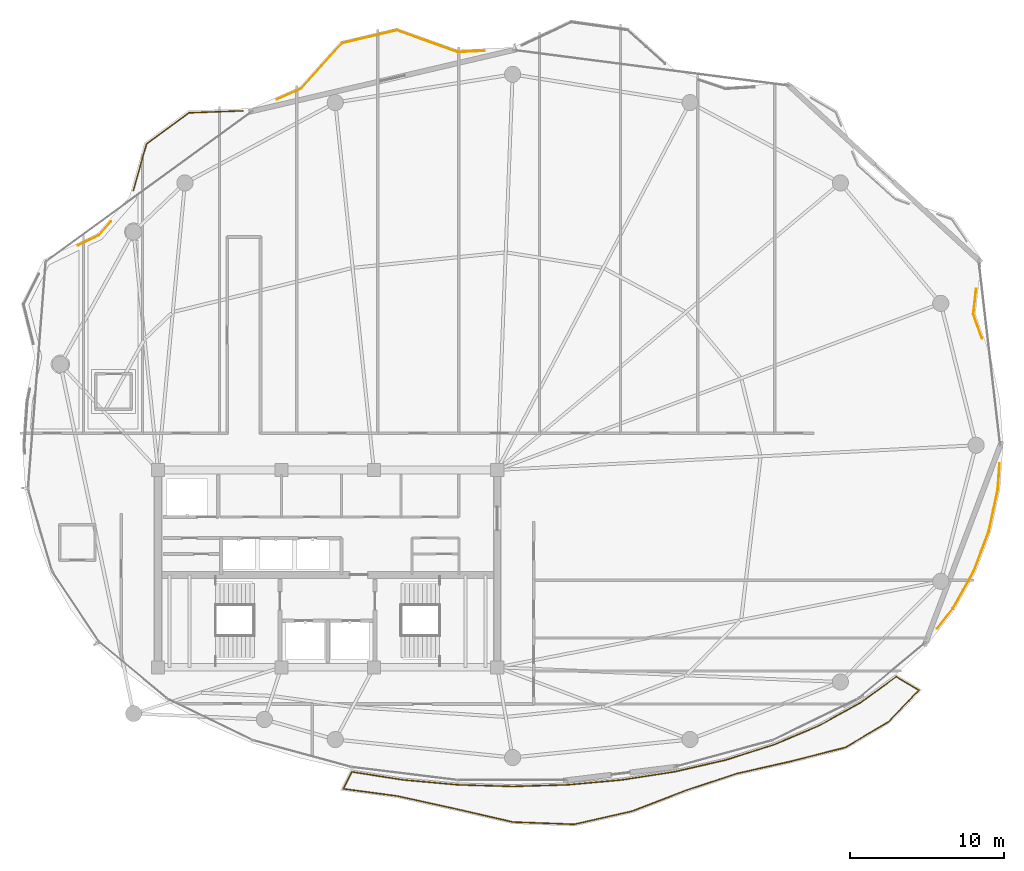
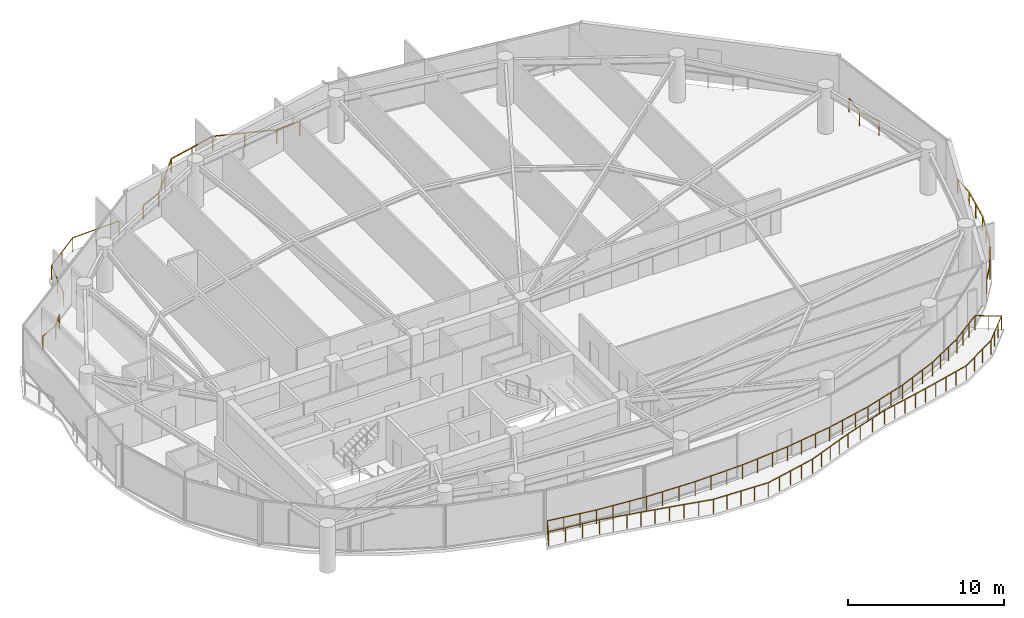
# One storey, part 30 of 31: 6 railings.
"""IFC4 building model written with IfcOpenShell, lengths in metres."""

from ifc_helpers import new_model, si_unit, direction, frame, origin, origin_2d, place, context, subcontext, project, spatial, rectangle, extrude, material, type_object, element, save


model = new_model("IFC4")

# Units and contexts
model_context = context("Model", 3, precision=1e-05, world=origin(), true_north=direction((0.0, 1.0)))
body_context = subcontext(model_context, "Body", "Model", "MODEL_VIEW")
ifc_project = project(units=[si_unit("LENGTHUNIT", "METRE"), si_unit("AREAUNIT", "SQUARE_METRE"), si_unit("VOLUMEUNIT", "CUBIC_METRE"), si_unit("PLANEANGLEUNIT", "RADIAN"), si_unit("MASSUNIT", "GRAM", prefix="KILO")], contexts=[model_context])

# Site, building, storey
site_placement = place(None, origin())
site = spatial("IfcSite", under=ifc_project, at=site_placement, CompositionType="ELEMENT")
building_placement = place(site_placement, origin())
building = spatial("IfcBuilding", under=site, at=building_placement, Name="Kazevale Care Tower and Concert Hall", CompositionType="ELEMENT")
storey_placement = place(building_placement, frame((0.0, 0.0, 202.800048828125)))
storey = spatial("IfcBuildingStorey", under=building, at=storey_placement, Name="L53", CompositionType="ELEMENT", Elevation=202.800048828125)

# Railings
ifc_material = material(Name="Anodised Bronze Aluminium and Laminated Glass", Category="aluminium")
railing_type = type_object("IfcRailingType", Name="Balcony and Terrace Balustrade 1120", PredefinedType="BALUSTRADE", material=ifc_material)
railing_1_placement = place(storey_placement, frame((16.83203125, 50.968994140625, 0.0)))
element("IfcRailing", 1, at=railing_1_placement, inside=storey, type_object=railing_type, Name="rail:L53:perim:3", PredefinedType="BALUSTRADE", context=body_context, shape_type="SweptSolid", body=[
    extrude(rectangle(XDim=0.048095703125, YDim=0.048095703125, at=origin_2d()), frame((0.0, 0.0, 1.09619140625), z_axis=(0.899880965399, 0.436135584553, 0.0), x_axis=(-0.436135584553, 0.899880965399, 0.0)), (0.0, 0.0, 1.0), 1.476806640625),
    extrude(rectangle(XDim=0.048095703125, YDim=0.048095703125, at=origin_2d()), frame((1.328857421875, 0.64404296875, 1.09619140625), z_axis=(0.658533673371, 0.752551261402, 0.0), x_axis=(-0.752551261402, 0.658533673371, 0.0)), (0.0, 0.0, 1.0), 1.189208984375),
    extrude(rectangle(XDim=0.0419921875, YDim=0.0419921875, at=origin_2d()), origin(), (0.0, 0.0, 1.0), 1.072021484375),
    extrude(rectangle(XDim=0.0419921875, YDim=0.0419921875, at=origin_2d()), frame((1.328857421875, 0.64404296875, 0.0)), (0.0, 0.0, 1.0), 1.072021484375),
    extrude(rectangle(XDim=0.0419921875, YDim=0.0419921875, at=origin_2d()), frame((2.112060546875, 1.5390625, 0.0)), (0.0, 0.0, 1.0), 1.072021484375),
])
railing_2_placement = place(storey_placement, frame((20.403076171875, 54.511962890625, 0.0)))
element("IfcRailing", 2, at=railing_2_placement, inside=storey, type_object=railing_type, Name="rail:L53:perim:4", PredefinedType="BALUSTRADE", context=body_context, shape_type="SweptSolid", body=[
    extrude(rectangle(XDim=0.048095703125, YDim=0.048095703125, at=origin_2d()), frame((0.0, 0.0, 1.09619140625), z_axis=(0.27160216444, 0.962409613559, 0.0), x_axis=(-0.962409613559, 0.27160216444, 0.0)), (0.0, 0.0, 1.0), 3.144287109375),
    extrude(rectangle(XDim=0.048095703125, YDim=0.048095703125, at=origin_2d()), frame((0.85400390625, 3.026123046875, 1.09619140625), z_axis=(0.805881115656, 0.592077382973, 0.0), x_axis=(-0.592077382973, 0.805881115656, 0.0)), (0.0, 0.0, 1.0), 3.40966796875),
    extrude(rectangle(XDim=0.048095703125, YDim=0.048095703125, at=origin_2d()), frame((3.601806640625, 5.044921875, 1.09619140625), z_axis=(0.999339175446, 0.036348485787, 0.0), x_axis=(-0.036348485787, 0.999339175446, 0.0)), (0.0, 0.0, 1.0), 3.499267578125),
    extrude(rectangle(XDim=0.0419921875, YDim=0.0419921875, at=origin_2d()), origin(), (0.0, 0.0, 1.0), 1.072021484375),
    extrude(rectangle(XDim=0.0419921875, YDim=0.0419921875, at=origin_2d()), frame((0.427001953125, 1.51318359375, 0.0)), (0.0, 0.0, 1.0), 1.072021484375),
    extrude(rectangle(XDim=0.0419921875, YDim=0.0419921875, at=origin_2d()), frame((0.85400390625, 3.026123046875, 0.0)), (0.0, 0.0, 1.0), 1.072021484375),
    extrude(rectangle(XDim=0.0419921875, YDim=0.0419921875, at=origin_2d()), frame((2.22802734375, 4.03564453125, 0.0)), (0.0, 0.0, 1.0), 1.072021484375),
    extrude(rectangle(XDim=0.0419921875, YDim=0.0419921875, at=origin_2d()), frame((3.601806640625, 5.044921875, 0.0)), (0.0, 0.0, 1.0), 1.072021484375),
    extrude(rectangle(XDim=0.0419921875, YDim=0.0419921875, at=origin_2d()), frame((5.350341796875, 5.1083984375, 0.0)), (0.0, 0.0, 1.0), 1.072021484375),
    extrude(rectangle(XDim=0.0419921875, YDim=0.0419921875, at=origin_2d()), frame((7.098876953125, 5.172119140625, 0.0)), (0.0, 0.0, 1.0), 1.072021484375),
])
railing_3_placement = place(storey_placement, frame((29.737060546875, 60.43505859375, 0.0)))
element("IfcRailing", 3, at=railing_3_placement, inside=storey, type_object=railing_type, Name="rail:L53:perim:5", PredefinedType="BALUSTRADE", context=body_context, shape_type="SweptSolid", body=[
    extrude(rectangle(XDim=0.048095703125, YDim=0.048095703125, at=origin_2d()), frame((0.0, 0.0, 1.09619140625), z_axis=(0.912729386392, 0.408564642641, 0.0), x_axis=(-0.408564642641, 0.912729386392, 0.0)), (0.0, 0.0, 1.0), 1.6982421875),
    extrude(rectangle(XDim=0.048095703125, YDim=0.048095703125, at=origin_2d()), frame((1.550048828125, 0.69384765625, 1.09619140625), z_axis=(0.668500240789, 0.743711925456, 0.0), x_axis=(-0.743711925456, 0.668500240789, 0.0)), (0.0, 0.0, 1.0), 3.950439453125),
    extrude(rectangle(XDim=0.048095703125, YDim=0.048095703125, at=origin_2d()), frame((4.19091796875, 3.6318359375, 1.09619140625), z_axis=(0.97312090779, 0.2302948085, 0.0), x_axis=(-0.2302948085, 0.97312090779, 0.0)), (0.0, 0.0, 1.0), 3.652099609375),
    extrude(rectangle(XDim=0.048095703125, YDim=0.048095703125, at=origin_2d()), frame((7.744873046875, 4.472900390625, 1.09619140625), z_axis=(0.941350252636, -0.337431032749, 0.0), x_axis=(0.337431032749, 0.941350252636, 0.0)), (0.0, 0.0, 1.0), 4.18115234375),
    extrude(rectangle(XDim=0.048095703125, YDim=0.048095703125, at=origin_2d()), frame((11.680908203125, 3.06201171875, 1.09619140625), z_axis=(0.998977358959, 0.045213231333, 0.0), x_axis=(-0.045213231333, 0.998977358959, 0.0)), (0.0, 0.0, 1.0), 1.765625),
    extrude(rectangle(XDim=0.0419921875, YDim=0.0419921875, at=origin_2d()), origin(), (0.0, 0.0, 1.0), 1.072021484375),
    extrude(rectangle(XDim=0.0419921875, YDim=0.0419921875, at=origin_2d()), frame((1.550048828125, 0.69384765625, 0.0)), (0.0, 0.0, 1.0), 1.072021484375),
    extrude(rectangle(XDim=0.0419921875, YDim=0.0419921875, at=origin_2d()), frame((2.87060546875, 2.162841796875, 0.0)), (0.0, 0.0, 1.0), 1.072021484375),
    extrude(rectangle(XDim=0.0419921875, YDim=0.0419921875, at=origin_2d()), frame((4.19091796875, 3.6318359375, 0.0)), (0.0, 0.0, 1.0), 1.072021484375),
    extrude(rectangle(XDim=0.0419921875, YDim=0.0419921875, at=origin_2d()), frame((5.9677734375, 4.05224609375, 0.0)), (0.0, 0.0, 1.0), 1.072021484375),
    extrude(rectangle(XDim=0.0419921875, YDim=0.0419921875, at=origin_2d()), frame((7.744873046875, 4.472900390625, 0.0)), (0.0, 0.0, 1.0), 1.072021484375),
    extrude(rectangle(XDim=0.0419921875, YDim=0.0419921875, at=origin_2d()), frame((9.712890625, 3.767578125, 0.0)), (0.0, 0.0, 1.0), 1.072021484375),
    extrude(rectangle(XDim=0.0419921875, YDim=0.0419921875, at=origin_2d()), frame((11.680908203125, 3.06201171875, 0.0)), (0.0, 0.0, 1.0), 1.072021484375),
    extrude(rectangle(XDim=0.0419921875, YDim=0.0419921875, at=origin_2d()), frame((13.44482421875, 3.141845703125, 0.0)), (0.0, 0.0, 1.0), 1.072021484375),
])
railing_4_placement = place(storey_placement, frame((76.576904296875, 36.81103515625, 0.0)))
element("IfcRailing", 4, at=railing_4_placement, inside=storey, type_object=railing_type, Name="rail:L53:perim:11", PredefinedType="BALUSTRADE", context=body_context, shape_type="SweptSolid", body=[
    extrude(rectangle(XDim=0.048095703125, YDim=0.048095703125, at=origin_2d()), frame((0.0, 0.0, 1.09619140625), z_axis=(-0.069683140934, -0.997569175481, 0.0), x_axis=(0.997569175481, -0.069683140934, 0.0)), (0.0, 0.0, 1.0), 1.664306640625),
    extrude(rectangle(XDim=0.048095703125, YDim=0.048095703125, at=origin_2d()), frame((-0.115966796875, -1.66015625, 1.09619140625), z_axis=(-0.210886672564, -0.97751051725, 0.0), x_axis=(0.97751051725, -0.210886672564, 0.0)), (0.0, 0.0, 1.0), 2.81201171875),
    extrude(rectangle(XDim=0.048095703125, YDim=0.048095703125, at=origin_2d()), frame((-0.708984375, -4.408935546875, 1.09619140625), z_axis=(-0.352914941795, -0.935655408715, 0.0), x_axis=(0.935655408715, -0.352914941795, 0.0)), (0.0, 0.0, 1.0), 2.77685546875),
    extrude(rectangle(XDim=0.048095703125, YDim=0.048095703125, at=origin_2d()), frame((-1.68896484375, -7.007080078125, 1.09619140625), z_axis=(-0.490131162051, -0.871648692987, 0.0), x_axis=(0.871648692987, -0.490131162051, 0.0)), (0.0, 0.0, 1.0), 2.762451171875),
    extrude(rectangle(XDim=0.048095703125, YDim=0.048095703125, at=origin_2d()), frame((-3.04296875, -9.4150390625, 1.09619140625), z_axis=(-0.615507243123, -0.788131228707, 0.0), x_axis=(0.788131228707, -0.615507243123, 0.0)), (0.0, 0.0, 1.0), 1.6279296875),
    extrude(rectangle(XDim=0.0419921875, YDim=0.0419921875, at=origin_2d()), origin(), (0.0, 0.0, 1.0), 1.072021484375),
    extrude(rectangle(XDim=0.0419921875, YDim=0.0419921875, at=origin_2d()), frame((-0.115966796875, -1.66015625, 0.0)), (0.0, 0.0, 1.0), 1.072021484375),
    extrude(rectangle(XDim=0.0419921875, YDim=0.0419921875, at=origin_2d()), frame((-0.41259765625, -3.03466796875, 0.0)), (0.0, 0.0, 1.0), 1.072021484375),
    extrude(rectangle(XDim=0.0419921875, YDim=0.0419921875, at=origin_2d()), frame((-0.708984375, -4.408935546875, 0.0)), (0.0, 0.0, 1.0), 1.072021484375),
    extrude(rectangle(XDim=0.0419921875, YDim=0.0419921875, at=origin_2d()), frame((-1.198974609375, -5.7080078125, 0.0)), (0.0, 0.0, 1.0), 1.072021484375),
    extrude(rectangle(XDim=0.0419921875, YDim=0.0419921875, at=origin_2d()), frame((-1.68896484375, -7.007080078125, 0.0)), (0.0, 0.0, 1.0), 1.072021484375),
    extrude(rectangle(XDim=0.0419921875, YDim=0.0419921875, at=origin_2d()), frame((-2.365966796875, -8.2109375, 0.0)), (0.0, 0.0, 1.0), 1.072021484375),
    extrude(rectangle(XDim=0.0419921875, YDim=0.0419921875, at=origin_2d()), frame((-3.04296875, -9.4150390625, 0.0)), (0.0, 0.0, 1.0), 1.072021484375),
    extrude(rectangle(XDim=0.0419921875, YDim=0.0419921875, at=origin_2d()), frame((-4.044921875, -10.697998046875, 0.0)), (0.0, 0.0, 1.0), 1.072021484375),
])
railing_5_placement = place(storey_placement, frame((75.054931640625, 48.138916015625, 0.0)))
element("IfcRailing", 5, at=railing_5_placement, inside=storey, type_object=railing_type, Name="rail:L53:perim:12", PredefinedType="BALUSTRADE", context=body_context, shape_type="SweptSolid", body=[
    extrude(rectangle(XDim=0.048095703125, YDim=0.048095703125, at=origin_2d()), frame((0.0, 0.0, 1.09619140625), z_axis=(-0.110627099756, -0.993861984784, 0.0), x_axis=(0.993861984784, -0.110627099756, 0.0)), (0.0, 0.0, 1.0), 1.64404296875),
    extrude(rectangle(XDim=0.048095703125, YDim=0.048095703125, at=origin_2d()), frame((-0.181884765625, -1.634033203125, 1.09619140625), z_axis=(0.334582750454, -0.942366374134, 0.0), x_axis=(0.942366374134, 0.334582750454, 0.0)), (0.0, 0.0, 1.0), 1.65869140625),
    extrude(rectangle(XDim=0.0419921875, YDim=0.0419921875, at=origin_2d()), origin(), (0.0, 0.0, 1.0), 1.072021484375),
    extrude(rectangle(XDim=0.0419921875, YDim=0.0419921875, at=origin_2d()), frame((-0.181884765625, -1.634033203125, 0.0)), (0.0, 0.0, 1.0), 1.072021484375),
    extrude(rectangle(XDim=0.0419921875, YDim=0.0419921875, at=origin_2d()), frame((0.373046875, -3.197021484375, 0.0)), (0.0, 0.0, 1.0), 1.072021484375),
])
railing_6_placement = place(storey_placement, frame((34.56298828125, 16.819091796875, 0.0)))
element("IfcRailing", 6, at=railing_6_placement, inside=storey, type_object=railing_type, Name="rail:L53:balcony", PredefinedType="BALUSTRADE", context=body_context, shape_type="SweptSolid", body=[
    extrude(rectangle(XDim=0.048095703125, YDim=0.048095703125, at=origin_2d()), frame((0.0, 0.0, 1.09619140625), z_axis=(0.988093340761, -0.15385561395, 0.0), x_axis=(0.15385561395, 0.988093340761, 0.0)), (0.0, 0.0, 1.0), 3.38623046875),
    extrude(rectangle(XDim=0.048095703125, YDim=0.048095703125, at=origin_2d()), frame((3.345947265625, -0.52099609375, 1.09619140625), z_axis=(0.995947899496, -0.089932093766, 0.0), x_axis=(0.089932093766, 0.995947899496, 0.0)), (0.0, 0.0, 1.0), 3.537353515625),
    extrude(rectangle(XDim=0.048095703125, YDim=0.048095703125, at=origin_2d()), frame((6.868896484375, -0.839111328125, 1.09619140625), z_axis=(0.999567458851, -0.029409100739, 0.0), x_axis=(0.029409100739, 0.999567458851, 0.0)), (0.0, 0.0, 1.0), 3.569580078125),
    extrude(rectangle(XDim=0.048095703125, YDim=0.048095703125, at=origin_2d()), frame((10.43701171875, -0.944091796875, 1.09619140625), z_axis=(0.999567458851, 0.029409100739, 0.0), x_axis=(-0.029409100739, 0.999567458851, 0.0)), (0.0, 0.0, 1.0), 3.569580078125),
    extrude(rectangle(XDim=0.048095703125, YDim=0.048095703125, at=origin_2d()), frame((14.005126953125, -0.839111328125, 1.09619140625), z_axis=(0.995947899496, 0.089932093766, 0.0), x_axis=(-0.089932093766, 0.995947899496, 0.0)), (0.0, 0.0, 1.0), 3.537353515625),
    extrude(rectangle(XDim=0.048095703125, YDim=0.048095703125, at=origin_2d()), frame((17.528076171875, -0.52099609375, 1.09619140625), z_axis=(0.988098216207, 0.153824299539, 0.0), x_axis=(-0.153824299539, 0.988098216207, 0.0)), (0.0, 0.0, 1.0), 3.4775390625),
    extrude(rectangle(XDim=0.048095703125, YDim=0.048095703125, at=origin_2d()), frame((20.964111328125, 0.013916015625, 1.09619140625), z_axis=(0.974534254558, 0.224238682418, 0.0), x_axis=(-0.224238682418, 0.974534254558, 0.0)), (0.0, 0.0, 1.0), 3.389404296875),
    extrude(rectangle(XDim=0.048095703125, YDim=0.048095703125, at=origin_2d()), frame((24.26708984375, 0.77392578125, 1.09619140625), z_axis=(0.953239514235, 0.302215864078, 0.0), x_axis=(-0.302215864078, 0.953239514235, 0.0)), (0.0, 0.0, 1.0), 3.285400390625),
    extrude(rectangle(XDim=0.048095703125, YDim=0.048095703125, at=origin_2d()), frame((27.39892578125, 1.766845703125, 1.09619140625), z_axis=(0.921006567992, 0.389547046858, 0.0), x_axis=(-0.389547046858, 0.921006567992, 0.0)), (0.0, 0.0, 1.0), 3.170654296875),
    extrude(rectangle(XDim=0.048095703125, YDim=0.048095703125, at=origin_2d()), frame((30.319091796875, 3.001953125, 1.09619140625), z_axis=(0.874149737903, 0.485656499724, 0.0), x_axis=(-0.485656499724, 0.874149737903, 0.0)), (0.0, 0.0, 1.0), 3.055419921875),
    extrude(rectangle(XDim=0.048095703125, YDim=0.048095703125, at=origin_2d()), frame((32.989990234375, 4.48583984375, 1.09619140625), z_axis=(0.809111467971, 0.587655198562, 0.0), x_axis=(-0.587655198562, 0.809111467971, 0.0)), (0.0, 0.0, 1.0), 2.867431640625),
    extrude(rectangle(XDim=0.048095703125, YDim=0.048095703125, at=origin_2d()), frame((35.31005859375, 6.1708984375, 1.09619140625), z_axis=(0.85858418894, -0.512672595818, 0.0), x_axis=(0.512672595818, 0.85858418894, 0.0)), (0.0, 0.0, 1.0), 1.71435546875),
    extrude(rectangle(XDim=0.048095703125, YDim=0.048095703125, at=origin_2d()), frame((36.781982421875, 5.2919921875, 1.09619140625), z_axis=(-0.695569922239, -0.718458407479, 0.0), x_axis=(0.718458407479, -0.695569922239, 0.0)), (0.0, 0.0, 1.0), 2.847900390625),
    extrude(rectangle(XDim=0.048095703125, YDim=0.048095703125, at=origin_2d()), frame((34.801025390625, 3.245849609375, 1.09619140625), z_axis=(-0.859486704174, -0.511158102106, 0.0), x_axis=(0.511158102106, -0.859486704174, 0.0)), (0.0, 0.0, 1.0), 3.24169921875),
    extrude(rectangle(XDim=0.048095703125, YDim=0.048095703125, at=origin_2d()), frame((32.014892578125, 1.5888671875, 1.09619140625), z_axis=(-0.968865461963, -0.247587795772, 0.0), x_axis=(0.247587795772, -0.968865461963, 0.0)), (0.0, 0.0, 1.0), 3.6474609375),
    extrude(rectangle(XDim=0.048095703125, YDim=0.048095703125, at=origin_2d()), frame((28.48095703125, 0.685791015625, 1.09619140625), z_axis=(-0.975393580974, -0.220470774013, 0.0), x_axis=(0.220470774013, -0.975393580974, 0.0)), (0.0, 0.0, 1.0), 3.60546875),
    extrude(rectangle(XDim=0.048095703125, YDim=0.048095703125, at=origin_2d()), frame((24.964111328125, -0.109130859375, 1.09619140625), z_axis=(-0.949113452756, -0.314934364268, 0.0), x_axis=(0.314934364268, -0.949113452756, 0.0)), (0.0, 0.0, 1.0), 3.51171875),
    extrude(rectangle(XDim=0.048095703125, YDim=0.048095703125, at=origin_2d()), frame((21.631103515625, -1.215087890625, 1.09619140625), z_axis=(-0.932492019345, -0.361190578308, 0.0), x_axis=(0.361190578308, -0.932492019345, 0.0)), (0.0, 0.0, 1.0), 3.66015625),
    extrude(rectangle(XDim=0.048095703125, YDim=0.048095703125, at=origin_2d()), frame((18.218017578125, -2.537109375, 1.09619140625), z_axis=(-0.974917543519, -0.222566357158, 0.0), x_axis=(0.222566357158, -0.974917543519, 0.0)), (0.0, 0.0, 1.0), 3.873291015625),
    extrude(rectangle(XDim=0.048095703125, YDim=0.048095703125, at=origin_2d()), frame((14.44189453125, -3.399169921875, 1.09619140625), z_axis=(-0.999310553949, 0.037127035515, 0.0), x_axis=(-0.037127035515, -0.999310553949, 0.0)), (0.0, 0.0, 1.0), 3.991455078125),
    extrude(rectangle(XDim=0.048095703125, YDim=0.048095703125, at=origin_2d()), frame((10.453125, -3.2509765625, 1.09619140625), z_axis=(-0.974552884513, 0.224157701825, 0.0), x_axis=(-0.224157701825, -0.974552884513, 0.0)), (0.0, 0.0, 1.0), 3.9384765625),
    extrude(rectangle(XDim=0.048095703125, YDim=0.048095703125, at=origin_2d()), frame((6.614990234375, -2.3681640625, 1.09619140625), z_axis=(-0.976652953385, 0.214823203226, 0.0), x_axis=(-0.214823203226, -0.976652953385, 0.0)), (0.0, 0.0, 1.0), 3.742431640625),
    extrude(rectangle(XDim=0.048095703125, YDim=0.048095703125, at=origin_2d()), frame((2.9599609375, -1.564208984375, 1.09619140625), z_axis=(-0.991325840674, 0.131427080972, 0.0), x_axis=(-0.131427080972, -0.991325840674, 0.0)), (0.0, 0.0, 1.0), 3.538818359375),
    extrude(rectangle(XDim=0.048095703125, YDim=0.048095703125, at=origin_2d()), frame((-0.548095703125, -1.09912109375, 1.09619140625), z_axis=(0.4462592011, 0.89490375205, 0.0), x_axis=(-0.89490375205, 0.4462592011, 0.0)), (0.0, 0.0, 1.0), 1.228271484375),
    extrude(rectangle(XDim=0.0419921875, YDim=0.0419921875, at=origin_2d()), origin(), (0.0, 0.0, 1.0), 1.072021484375),
    extrude(rectangle(XDim=0.0419921875, YDim=0.0419921875, at=origin_2d()), frame((1.115234375, -0.173583984375, 0.0)), (0.0, 0.0, 1.0), 1.072021484375),
    extrude(rectangle(XDim=0.0419921875, YDim=0.0419921875, at=origin_2d()), frame((2.230712890625, -0.347412109375, 0.0)), (0.0, 0.0, 1.0), 1.072021484375),
    extrude(rectangle(XDim=0.0419921875, YDim=0.0419921875, at=origin_2d()), frame((3.345947265625, -0.52099609375, 0.0)), (0.0, 0.0, 1.0), 1.072021484375),
    extrude(rectangle(XDim=0.0419921875, YDim=0.0419921875, at=origin_2d()), frame((4.520263671875, -0.626953125, 0.0)), (0.0, 0.0, 1.0), 1.072021484375),
    extrude(rectangle(XDim=0.0419921875, YDim=0.0419921875, at=origin_2d()), frame((5.694580078125, -0.733154296875, 0.0)), (0.0, 0.0, 1.0), 1.072021484375),
    extrude(rectangle(XDim=0.0419921875, YDim=0.0419921875, at=origin_2d()), frame((6.868896484375, -0.839111328125, 0.0)), (0.0, 0.0, 1.0), 1.072021484375),
    extrude(rectangle(XDim=0.0419921875, YDim=0.0419921875, at=origin_2d()), frame((8.058349609375, -0.8740234375, 0.0)), (0.0, 0.0, 1.0), 1.072021484375),
    extrude(rectangle(XDim=0.0419921875, YDim=0.0419921875, at=origin_2d()), frame((9.24755859375, -0.9091796875, 0.0)), (0.0, 0.0, 1.0), 1.072021484375),
    extrude(rectangle(XDim=0.0419921875, YDim=0.0419921875, at=origin_2d()), frame((10.43701171875, -0.944091796875, 0.0)), (0.0, 0.0, 1.0), 1.072021484375),
    extrude(rectangle(XDim=0.0419921875, YDim=0.0419921875, at=origin_2d()), frame((11.62646484375, -0.9091796875, 0.0)), (0.0, 0.0, 1.0), 1.072021484375),
    extrude(rectangle(XDim=0.0419921875, YDim=0.0419921875, at=origin_2d()), frame((12.815673828125, -0.8740234375, 0.0)), (0.0, 0.0, 1.0), 1.072021484375),
    extrude(rectangle(XDim=0.0419921875, YDim=0.0419921875, at=origin_2d()), frame((14.005126953125, -0.839111328125, 0.0)), (0.0, 0.0, 1.0), 1.072021484375),
    extrude(rectangle(XDim=0.0419921875, YDim=0.0419921875, at=origin_2d()), frame((15.179443359375, -0.733154296875, 0.0)), (0.0, 0.0, 1.0), 1.072021484375),
    extrude(rectangle(XDim=0.0419921875, YDim=0.0419921875, at=origin_2d()), frame((16.353759765625, -0.626953125, 0.0)), (0.0, 0.0, 1.0), 1.072021484375),
    extrude(rectangle(XDim=0.0419921875, YDim=0.0419921875, at=origin_2d()), frame((17.528076171875, -0.52099609375, 0.0)), (0.0, 0.0, 1.0), 1.072021484375),
    extrude(rectangle(XDim=0.0419921875, YDim=0.0419921875, at=origin_2d()), frame((18.67333984375, -0.3427734375, 0.0)), (0.0, 0.0, 1.0), 1.072021484375),
    extrude(rectangle(XDim=0.0419921875, YDim=0.0419921875, at=origin_2d()), frame((19.81884765625, -0.164306640625, 0.0)), (0.0, 0.0, 1.0), 1.072021484375),
    extrude(rectangle(XDim=0.0419921875, YDim=0.0419921875, at=origin_2d()), frame((20.964111328125, 0.013916015625, 0.0)), (0.0, 0.0, 1.0), 1.072021484375),
    extrude(rectangle(XDim=0.0419921875, YDim=0.0419921875, at=origin_2d()), frame((22.065185546875, 0.267333984375, 0.0)), (0.0, 0.0, 1.0), 1.072021484375),
    extrude(rectangle(XDim=0.0419921875, YDim=0.0419921875, at=origin_2d()), frame((23.166015625, 0.5205078125, 0.0)), (0.0, 0.0, 1.0), 1.072021484375),
    extrude(rectangle(XDim=0.0419921875, YDim=0.0419921875, at=origin_2d()), frame((24.26708984375, 0.77392578125, 0.0)), (0.0, 0.0, 1.0), 1.072021484375),
    extrude(rectangle(XDim=0.0419921875, YDim=0.0419921875, at=origin_2d()), frame((25.31103515625, 1.10498046875, 0.0)), (0.0, 0.0, 1.0), 1.072021484375),
    extrude(rectangle(XDim=0.0419921875, YDim=0.0419921875, at=origin_2d()), frame((26.35498046875, 1.435791015625, 0.0)), (0.0, 0.0, 1.0), 1.072021484375),
    extrude(rectangle(XDim=0.0419921875, YDim=0.0419921875, at=origin_2d()), frame((27.39892578125, 1.766845703125, 0.0)), (0.0, 0.0, 1.0), 1.072021484375),
    extrude(rectangle(XDim=0.0419921875, YDim=0.0419921875, at=origin_2d()), frame((28.372314453125, 2.178466796875, 0.0)), (0.0, 0.0, 1.0), 1.072021484375),
    extrude(rectangle(XDim=0.0419921875, YDim=0.0419921875, at=origin_2d()), frame((29.345703125, 2.59033203125, 0.0)), (0.0, 0.0, 1.0), 1.072021484375),
    extrude(rectangle(XDim=0.0419921875, YDim=0.0419921875, at=origin_2d()), frame((30.319091796875, 3.001953125, 0.0)), (0.0, 0.0, 1.0), 1.072021484375),
    extrude(rectangle(XDim=0.0419921875, YDim=0.0419921875, at=origin_2d()), frame((31.20947265625, 3.49658203125, 0.0)), (0.0, 0.0, 1.0), 1.072021484375),
    extrude(rectangle(XDim=0.0419921875, YDim=0.0419921875, at=origin_2d()), frame((32.099609375, 3.9912109375, 0.0)), (0.0, 0.0, 1.0), 1.072021484375),
    extrude(rectangle(XDim=0.0419921875, YDim=0.0419921875, at=origin_2d()), frame((32.989990234375, 4.48583984375, 0.0)), (0.0, 0.0, 1.0), 1.072021484375),
    extrude(rectangle(XDim=0.0419921875, YDim=0.0419921875, at=origin_2d()), frame((33.763427734375, 5.047607421875, 0.0)), (0.0, 0.0, 1.0), 1.072021484375),
    extrude(rectangle(XDim=0.0419921875, YDim=0.0419921875, at=origin_2d()), frame((34.53662109375, 5.609130859375, 0.0)), (0.0, 0.0, 1.0), 1.072021484375),
    extrude(rectangle(XDim=0.0419921875, YDim=0.0419921875, at=origin_2d()), frame((35.31005859375, 6.1708984375, 0.0)), (0.0, 0.0, 1.0), 1.072021484375),
    extrude(rectangle(XDim=0.0419921875, YDim=0.0419921875, at=origin_2d()), frame((36.0458984375, 5.7314453125, 0.0)), (0.0, 0.0, 1.0), 1.072021484375),
    extrude(rectangle(XDim=0.0419921875, YDim=0.0419921875, at=origin_2d()), frame((36.781982421875, 5.2919921875, 0.0)), (0.0, 0.0, 1.0), 1.072021484375),
    extrude(rectangle(XDim=0.0419921875, YDim=0.0419921875, at=origin_2d()), frame((36.12158203125, 4.60986328125, 0.0)), (0.0, 0.0, 1.0), 1.072021484375),
    extrude(rectangle(XDim=0.0419921875, YDim=0.0419921875, at=origin_2d()), frame((35.46142578125, 3.927978515625, 0.0)), (0.0, 0.0, 1.0), 1.072021484375),
    extrude(rectangle(XDim=0.0419921875, YDim=0.0419921875, at=origin_2d()), frame((34.801025390625, 3.245849609375, 0.0)), (0.0, 0.0, 1.0), 1.072021484375),
    extrude(rectangle(XDim=0.0419921875, YDim=0.0419921875, at=origin_2d()), frame((33.872314453125, 2.693603515625, 0.0)), (0.0, 0.0, 1.0), 1.072021484375),
    extrude(rectangle(XDim=0.0419921875, YDim=0.0419921875, at=origin_2d()), frame((32.943603515625, 2.14111328125, 0.0)), (0.0, 0.0, 1.0), 1.072021484375),
    extrude(rectangle(XDim=0.0419921875, YDim=0.0419921875, at=origin_2d()), frame((32.014892578125, 1.5888671875, 0.0)), (0.0, 0.0, 1.0), 1.072021484375),
    extrude(rectangle(XDim=0.0419921875, YDim=0.0419921875, at=origin_2d()), frame((31.13134765625, 1.363037109375, 0.0)), (0.0, 0.0, 1.0), 1.072021484375),
    extrude(rectangle(XDim=0.0419921875, YDim=0.0419921875, at=origin_2d()), frame((30.248046875, 1.13720703125, 0.0)), (0.0, 0.0, 1.0), 1.072021484375),
    extrude(rectangle(XDim=0.0419921875, YDim=0.0419921875, at=origin_2d()), frame((29.364501953125, 0.91162109375, 0.0)), (0.0, 0.0, 1.0), 1.072021484375),
    extrude(rectangle(XDim=0.0419921875, YDim=0.0419921875, at=origin_2d()), frame((28.48095703125, 0.685791015625, 0.0)), (0.0, 0.0, 1.0), 1.072021484375),
    extrude(rectangle(XDim=0.0419921875, YDim=0.0419921875, at=origin_2d()), frame((27.601806640625, 0.487060546875, 0.0)), (0.0, 0.0, 1.0), 1.072021484375),
    extrude(rectangle(XDim=0.0419921875, YDim=0.0419921875, at=origin_2d()), frame((26.72265625, 0.288330078125, 0.0)), (0.0, 0.0, 1.0), 1.072021484375),
    extrude(rectangle(XDim=0.0419921875, YDim=0.0419921875, at=origin_2d()), frame((25.84326171875, 0.089599609375, 0.0)), (0.0, 0.0, 1.0), 1.072021484375),
    extrude(rectangle(XDim=0.0419921875, YDim=0.0419921875, at=origin_2d()), frame((24.964111328125, -0.109130859375, 0.0)), (0.0, 0.0, 1.0), 1.072021484375),
    extrude(rectangle(XDim=0.0419921875, YDim=0.0419921875, at=origin_2d()), frame((23.85302734375, -0.477783203125, 0.0)), (0.0, 0.0, 1.0), 1.072021484375),
    extrude(rectangle(XDim=0.0419921875, YDim=0.0419921875, at=origin_2d()), frame((22.7421875, -0.846435546875, 0.0)), (0.0, 0.0, 1.0), 1.072021484375),
    extrude(rectangle(XDim=0.0419921875, YDim=0.0419921875, at=origin_2d()), frame((21.631103515625, -1.215087890625, 0.0)), (0.0, 0.0, 1.0), 1.072021484375),
    extrude(rectangle(XDim=0.0419921875, YDim=0.0419921875, at=origin_2d()), frame((20.77783203125, -1.545654296875, 0.0)), (0.0, 0.0, 1.0), 1.072021484375),
    extrude(rectangle(XDim=0.0419921875, YDim=0.0419921875, at=origin_2d()), frame((19.924560546875, -1.8759765625, 0.0)), (0.0, 0.0, 1.0), 1.072021484375),
    extrude(rectangle(XDim=0.0419921875, YDim=0.0419921875, at=origin_2d()), frame((19.0712890625, -2.20654296875, 0.0)), (0.0, 0.0, 1.0), 1.072021484375),
    extrude(rectangle(XDim=0.0419921875, YDim=0.0419921875, at=origin_2d()), frame((18.218017578125, -2.537109375, 0.0)), (0.0, 0.0, 1.0), 1.072021484375),
    extrude(rectangle(XDim=0.0419921875, YDim=0.0419921875, at=origin_2d()), frame((17.27392578125, -2.752685546875, 0.0)), (0.0, 0.0, 1.0), 1.072021484375),
    extrude(rectangle(XDim=0.0419921875, YDim=0.0419921875, at=origin_2d()), frame((16.330078125, -2.96826171875, 0.0)), (0.0, 0.0, 1.0), 1.072021484375),
    extrude(rectangle(XDim=0.0419921875, YDim=0.0419921875, at=origin_2d()), frame((15.385986328125, -3.18359375, 0.0)), (0.0, 0.0, 1.0), 1.072021484375),
    extrude(rectangle(XDim=0.0419921875, YDim=0.0419921875, at=origin_2d()), frame((14.44189453125, -3.399169921875, 0.0)), (0.0, 0.0, 1.0), 1.072021484375),
    extrude(rectangle(XDim=0.0419921875, YDim=0.0419921875, at=origin_2d()), frame((13.44482421875, -3.362060546875, 0.0)), (0.0, 0.0, 1.0), 1.072021484375),
    extrude(rectangle(XDim=0.0419921875, YDim=0.0419921875, at=origin_2d()), frame((12.447509765625, -3.3251953125, 0.0)), (0.0, 0.0, 1.0), 1.072021484375),
    extrude(rectangle(XDim=0.0419921875, YDim=0.0419921875, at=origin_2d()), frame((11.4501953125, -3.2880859375, 0.0)), (0.0, 0.0, 1.0), 1.072021484375),
    extrude(rectangle(XDim=0.0419921875, YDim=0.0419921875, at=origin_2d()), frame((10.453125, -3.2509765625, 0.0)), (0.0, 0.0, 1.0), 1.072021484375),
    extrude(rectangle(XDim=0.0419921875, YDim=0.0419921875, at=origin_2d()), frame((9.49365234375, -3.0302734375, 0.0)), (0.0, 0.0, 1.0), 1.072021484375),
    extrude(rectangle(XDim=0.0419921875, YDim=0.0419921875, at=origin_2d()), frame((8.5341796875, -2.8095703125, 0.0)), (0.0, 0.0, 1.0), 1.072021484375),
    extrude(rectangle(XDim=0.0419921875, YDim=0.0419921875, at=origin_2d()), frame((7.574462890625, -2.5888671875, 0.0)), (0.0, 0.0, 1.0), 1.072021484375),
    extrude(rectangle(XDim=0.0419921875, YDim=0.0419921875, at=origin_2d()), frame((6.614990234375, -2.3681640625, 0.0)), (0.0, 0.0, 1.0), 1.072021484375),
    extrude(rectangle(XDim=0.0419921875, YDim=0.0419921875, at=origin_2d()), frame((5.701171875, -2.167236328125, 0.0)), (0.0, 0.0, 1.0), 1.072021484375),
    extrude(rectangle(XDim=0.0419921875, YDim=0.0419921875, at=origin_2d()), frame((4.78759765625, -1.96630859375, 0.0)), (0.0, 0.0, 1.0), 1.072021484375),
    extrude(rectangle(XDim=0.0419921875, YDim=0.0419921875, at=origin_2d()), frame((3.873779296875, -1.76513671875, 0.0)), (0.0, 0.0, 1.0), 1.072021484375),
    extrude(rectangle(XDim=0.0419921875, YDim=0.0419921875, at=origin_2d()), frame((2.9599609375, -1.564208984375, 0.0)), (0.0, 0.0, 1.0), 1.072021484375),
    extrude(rectangle(XDim=0.0419921875, YDim=0.0419921875, at=origin_2d()), frame((1.79052734375, -1.4091796875, 0.0)), (0.0, 0.0, 1.0), 1.072021484375),
    extrude(rectangle(XDim=0.0419921875, YDim=0.0419921875, at=origin_2d()), frame((0.621337890625, -1.254150390625, 0.0)), (0.0, 0.0, 1.0), 1.072021484375),
    extrude(rectangle(XDim=0.0419921875, YDim=0.0419921875, at=origin_2d()), frame((-0.548095703125, -1.09912109375, 0.0)), (0.0, 0.0, 1.0), 1.072021484375),
    extrude(rectangle(XDim=0.0419921875, YDim=0.0419921875, at=origin_2d()), frame((-0.27392578125, -0.549560546875, 0.0)), (0.0, 0.0, 1.0), 1.072021484375),
])

save(model, "model.ifc")
